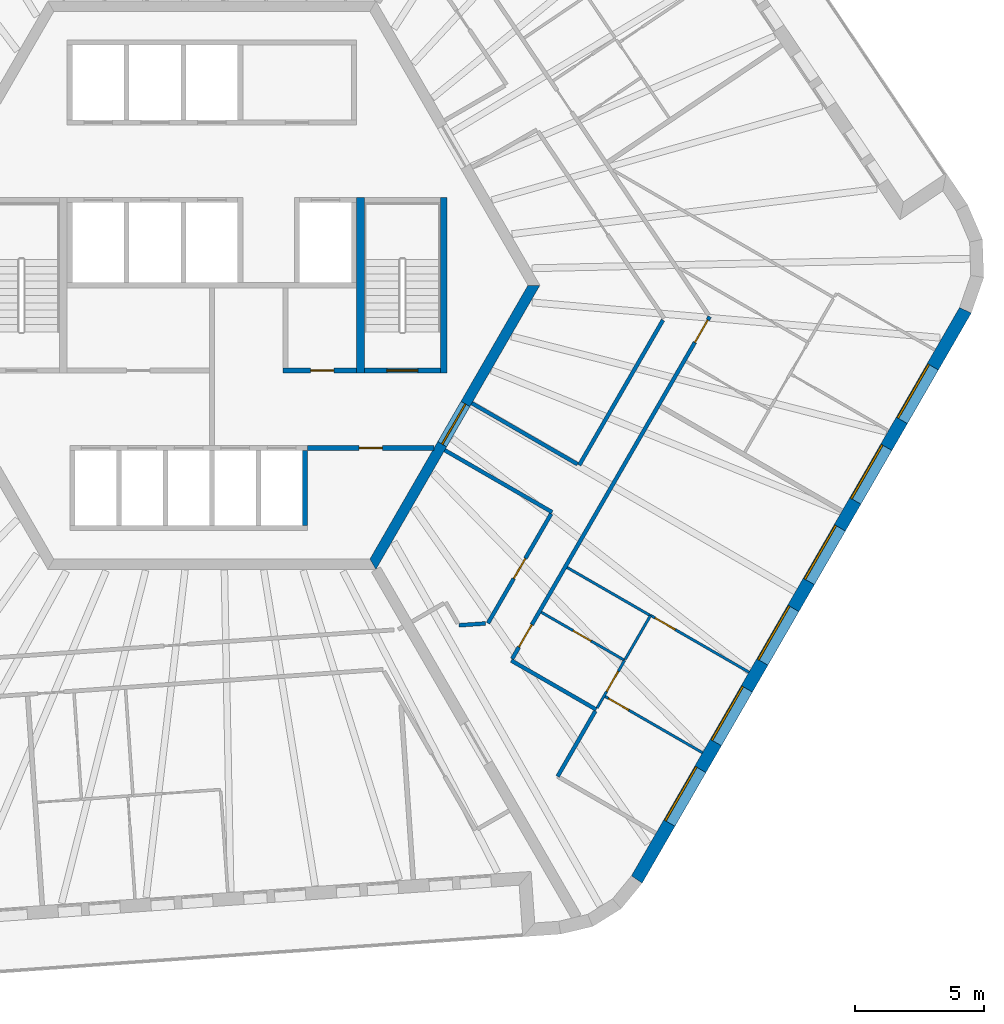
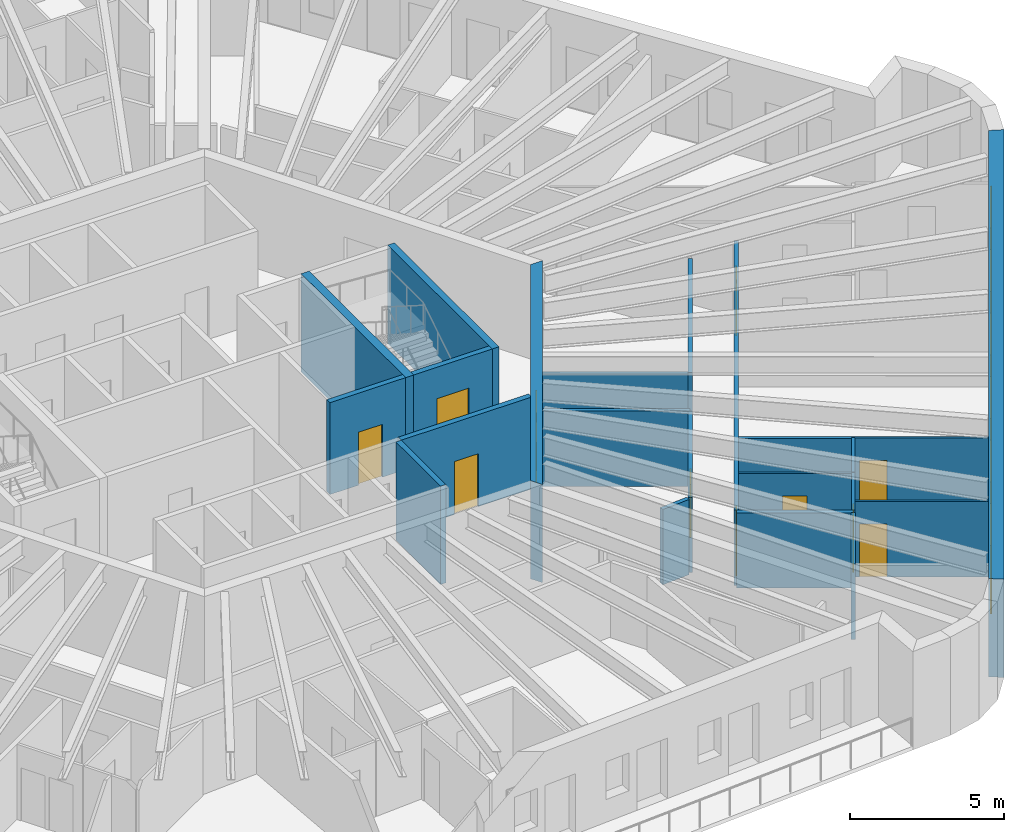
# One storey, part 6 of 12: 22 walls, 11 doors, 6 windows, 17 openings.
"""IFC4 building model written with IfcOpenShell, lengths in metres."""

from ifc_helpers import new_model, si_unit, direction, frame, frame_2d, origin, place, context, subcontext, project, spatial, polyline, rectangle, outline, extrude, material, layer, layer_set, type_object, element, fill, save


model = new_model("IFC4")

# Units and contexts
model_context = context("Model", 3, precision=1e-05, world=origin(), true_north=direction((0.0, 1.0)))
body_context = subcontext(model_context, "Body", "Model", "MODEL_VIEW")
ifc_project = project(units=[si_unit("LENGTHUNIT", "METRE"), si_unit("AREAUNIT", "SQUARE_METRE"), si_unit("VOLUMEUNIT", "CUBIC_METRE"), si_unit("PLANEANGLEUNIT", "RADIAN"), si_unit("MASSUNIT", "GRAM", prefix="KILO")], contexts=[model_context])

# Site, building, storey
site_placement = place(None, origin())
site = spatial("IfcSite", under=ifc_project, at=site_placement, CompositionType="ELEMENT")
building_placement = place(site_placement, origin())
building = spatial("IfcBuilding", under=site, at=building_placement, Name="Tarnside Tower", CompositionType="ELEMENT")
storey_placement = place(building_placement, frame((0.0, 0.0, 287.39990234375)))
storey = spatial("IfcBuildingStorey", under=building, at=storey_placement, Name="L69", CompositionType="ELEMENT", Elevation=287.39990234375)

# Wall
ifc_material_1 = material(Name="Gypsum board partition on steel studs", Category="steel")
ifc_layer_1 = layer(ifc_material_1, 0.10009765625)
ifc_layer_set_1 = layer_set([ifc_layer_1], Name="Bathroom wall 100")
wall_type_1 = type_object("IfcWallType", Name="Bathroom wall 100", PredefinedType="PARTITIONING", material=ifc_layer_set_1)
wall_1_placement = place(storey_placement, frame((13.754150390625, -10.92724609375, 0.0), z_axis=(0.0, 0.0, 1.0), x_axis=(0.866040420308, -0.499973989716, 0.0)))
element("IfcWall", 1, at=wall_1_placement, inside=storey, type_object=wall_type_1, Name="Bathroom wall 22146", PredefinedType="PARTITIONING", context=body_context, shape_type="SweptSolid", body=[
    extrude(rectangle(XDim=3.724853515625, YDim=0.10009765625, at=frame_2d((1.8623046875, 0.0))), origin(), (0.0, 0.0, 1.0), 2.98779296875),
])

# Wall, opening, door
wall_2_placement = place(storey_placement, frame((15.97998046875, -14.521728515625, 0.0), z_axis=(0.0, 0.0, 1.0), x_axis=(-0.866012039196, 0.500023147432, 0.0)))
wall_2 = element("IfcWall", 2, at=wall_2_placement, inside=storey, type_object=wall_type_1, Name="Bathroom wall 22150", PredefinedType="PARTITIONING", context=body_context, shape_type="SweptSolid", body=[
    extrude(rectangle(XDim=3.724853515625, YDim=0.10009765625, at=frame_2d((1.8623046875, 0.0))), origin(), (0.0, 0.0, 1.0), 2.98779296875),
])
opening_1_placement = place(wall_2_placement, frame((1.5, 0.0, 0.0)))
opening_1 = element("IfcOpeningElement", 3, at=opening_1_placement, cuts=wall_2, Name="Opening D-B1", PredefinedType="OPENING", context=body_context, shape_type="SweptSolid", body=[
    extrude(rectangle(XDim=0.800048828125, YDim=2.10009765625, at=frame_2d((0.39990234375, 1.050048828125))), frame((0.0, 0.06005859375, 0.0), z_axis=(0.0, -1.0, 0.0), x_axis=(1.0, 0.0, 0.0)), (0.0, 0.0, 1.0), 0.1201171875),
])
ifc_material_2 = material(Name="Timber door leaf", Category="wood")
door_type_1 = type_object("IfcDoorType", Name="Bathroom door 800", OperationType="NOTDEFINED", PredefinedType="DOOR", material=ifc_material_2)
door_1_placement = place(opening_1_placement, origin())
door_1 = element("IfcDoor", 4, at=door_1_placement, inside=storey, type_object=door_type_1, Name="Bathroom door 22056", OperationType="SINGLE_SWING_LEFT", OverallHeight=2.10009765625, OverallWidth=0.800048828125, PredefinedType="DOOR", context=body_context, shape_type="SweptSolid", body=[
    extrude(rectangle(XDim=0.800048828125, YDim=2.10009765625, at=frame_2d((0.39990234375, 1.050048828125))), frame((0.0, 0.02490234375, 0.0), z_axis=(0.0, -1.0, 0.0), x_axis=(1.0, 0.0, 0.0)), (0.0, 0.0, 1.0), 0.050048828125),
])
fill(opening_1, door_1)

# Wall
wall_3_placement = place(storey_placement, frame((16.004150390625, -14.480224609375, 0.0), z_axis=(0.0, 0.0, 1.0), x_axis=(0.499888292545, 0.866089888508, 0.0)))
element("IfcWall", 5, at=wall_3_placement, inside=storey, type_object=wall_type_1, Name="Bathroom wall 22153", PredefinedType="PARTITIONING", context=body_context, shape_type="SweptSolid", body=[
    extrude(rectangle(XDim=1.9541015625, YDim=0.10009765625, at=frame_2d((0.97705078125, 0.0))), origin(), (0.0, 0.0, 1.0), 2.98779296875),
])

# Wall, opening, door
ifc_material_3 = material(Name="Concrete C40/50", Category="concrete")
ifc_layer_2 = layer(ifc_material_3, 0.199951171875)
ifc_layer_set_2 = layer_set([ifc_layer_2], Name="Core room partition 200 C40/50")
wall_type_2 = type_object("IfcWallType", Name="Core room partition 200 C40/50", PredefinedType="PARTITIONING", material=ifc_layer_set_2)
wall_4_placement = place(storey_placement, frame((2.75, -3.300048828125, 0.0), z_axis=(0.0, 0.0, 1.0), x_axis=(1.0, 0.0, 0.0)))
wall_4 = element("IfcWall", 6, at=wall_4_placement, inside=storey, type_object=wall_type_2, Name="L69 core partition R3S1", PredefinedType="PARTITIONING", context=body_context, shape_type="SweptSolid", body=[
    extrude(rectangle(XDim=2.85009765625, YDim=0.199951171875, at=frame_2d((1.425048828125, 0.0))), origin(), (0.0, 0.0, 1.0), 3.650146484375),
])
opening_2_placement = place(wall_4_placement, frame((1.074951171875, 0.0, 0.0)))
opening_2 = element("IfcOpeningElement", 7, at=opening_2_placement, cuts=wall_4, Name="Opening CD-room", PredefinedType="OPENING", context=body_context, shape_type="SweptSolid", body=[
    extrude(rectangle(XDim=0.89990234375, YDim=2.10009765625, at=frame_2d((0.449951171875, 1.050048828125))), frame((0.0, 0.10986328125, 0.0), z_axis=(0.0, -1.0, 0.0), x_axis=(1.0, 0.0, 0.0)), (0.0, 0.0, 1.0), 0.219970703125),
])
ifc_material_4 = material(Name="Steel fire door", Category="steel")
door_type_2 = type_object("IfcDoorType", Name="Room door FD60 900x2100", OperationType="NOTDEFINED", PredefinedType="DOOR", material=ifc_material_4)
door_2_placement = place(opening_2_placement, origin())
door_2 = element("IfcDoor", 8, at=door_2_placement, inside=storey, type_object=door_type_2, Name="L69 core room door SR1", OperationType="SINGLE_SWING_LEFT", OverallHeight=2.10009765625, OverallWidth=0.89990234375, PredefinedType="DOOR", context=body_context, shape_type="SweptSolid", body=[
    extrude(rectangle(XDim=0.89990234375, YDim=2.10009765625, at=frame_2d((0.449951171875, 1.050048828125))), frame((0.0, 0.02490234375, 0.0), z_axis=(0.0, -1.0, 0.0), x_axis=(1.0, 0.0, 0.0)), (0.0, 0.0, 1.0), 0.050048828125),
])
fill(opening_2, door_2)

wall_5_placement = place(storey_placement, frame((3.699951171875, -6.300048828125, 0.0), z_axis=(0.0, 0.0, 1.0), x_axis=(1.0, 0.0, 0.0)))
wall_5 = element("IfcWall", 9, at=wall_5_placement, inside=storey, type_object=wall_type_2, Name="L69 core partition R4X", PredefinedType="PARTITIONING", context=body_context, shape_type="SweptSolid", body=[
    extrude(rectangle(XDim=4.902587890625, YDim=0.199951171875, at=frame_2d((2.451171875, 0.0))), origin(), (0.0, 0.0, 1.0), 3.650146484375),
])
opening_3_placement = place(wall_5_placement, frame((2.001220703125, 0.0, 0.0)))
opening_3 = element("IfcOpeningElement", 10, at=opening_3_placement, cuts=wall_5, Name="Opening CD-room", PredefinedType="OPENING", context=body_context, shape_type="SweptSolid", body=[
    extrude(rectangle(XDim=0.89990234375, YDim=2.10009765625, at=frame_2d((0.449951171875, 1.050048828125))), frame((0.0, 0.10986328125, 0.0), z_axis=(0.0, -1.0, 0.0), x_axis=(1.0, 0.0, 0.0)), (0.0, 0.0, 1.0), 0.219970703125),
])
door_3_placement = place(opening_3_placement, origin())
door_3 = element("IfcDoor", 11, at=door_3_placement, inside=storey, type_object=door_type_2, Name="L69 core room door RX", OperationType="SINGLE_SWING_LEFT", OverallHeight=2.10009765625, OverallWidth=0.89990234375, PredefinedType="DOOR", context=body_context, shape_type="SweptSolid", body=[
    extrude(rectangle(XDim=0.89990234375, YDim=2.10009765625, at=frame_2d((0.449951171875, 1.050048828125))), frame((0.0, 0.02490234375, 0.0), z_axis=(0.0, -1.0, 0.0), x_axis=(1.0, 0.0, 0.0)), (0.0, 0.0, 1.0), 0.050048828125),
])
fill(opening_3, door_3)

ifc_material_5 = material(Name="Concrete C60/75", Category="concrete")
ifc_layer_3 = layer(ifc_material_5, 0.39990234375)
ifc_layer_set_3 = layer_set([ifc_layer_3], Name="Core wall Z3 400 C60/75")
wall_type_3 = type_object("IfcWallType", Name="Core wall Z3 400 C60/75", PredefinedType="SHEAR", material=ifc_layer_set_3)
wall_6_placement = place(storey_placement, frame((6.2353515625, -10.800048828125, -0.14990234375), z_axis=(0.0, 0.0, 1.0), x_axis=(0.499996419489, 0.866027470984, 0.0)))
wall_6 = element("IfcWall", 12, at=wall_6_placement, inside=storey, type_object=wall_type_3, Name="L69 core wall face 5", PredefinedType="SHEAR", context=body_context, shape_type="SweptSolid", body=[
    extrude(outline(polyline([(-0.115478515625, -0.199951171875), (12.586181640625, -0.199951171875), (12.355224609375, 0.199951171875), (0.115478515625, 0.199951171875), (-0.115478515625, -0.199951171875)])), origin(), (0.0, 0.0, 1.0), 3.89990234375),
])
opening_4_placement = place(wall_6_placement, frame((5.3642578125, 0.0, 0.14990234375)))
opening_4 = element("IfcOpeningElement", 13, at=opening_4_placement, cuts=wall_6, Name="Opening CD-FFL", PredefinedType="OPENING", context=body_context, shape_type="SweptSolid", body=[
    extrude(rectangle(XDim=1.800048828125, YDim=2.39990234375, at=frame_2d((0.89990234375, 1.199951171875))), frame((0.0, 0.2099609375, 0.0), z_axis=(0.0, -1.0, 0.0), x_axis=(1.0, 0.0, 0.0)), (0.0, 0.0, 1.0), 0.419921875),
])
door_type_3 = type_object("IfcDoorType", Name="Firefighting lobby double door FD60S 1800x2400", OperationType="NOTDEFINED", PredefinedType="DOOR", material=ifc_material_4)
door_4_placement = place(opening_4_placement, origin())
door_4 = element("IfcDoor", 14, at=door_4_placement, inside=storey, type_object=door_type_3, Name="L69 core door P4", OperationType="DOUBLE_DOOR_SINGLE_SWING", OverallHeight=2.39990234375, OverallWidth=1.800048828125, PredefinedType="DOOR", context=body_context, shape_type="SweptSolid", body=[
    extrude(rectangle(XDim=1.800048828125, YDim=2.39990234375, at=frame_2d((0.89990234375, 1.199951171875))), frame((0.0, 0.02490234375, 0.0), z_axis=(0.0, -1.0, 0.0), x_axis=(1.0, 0.0, 0.0)), (0.0, 0.0, 1.0), 0.050048828125),
])
fill(opening_4, door_4)

# Wall, openings, doors
ifc_layer_4 = layer(ifc_material_1, 0.14990234375)
ifc_layer_set_4 = layer_set([ifc_layer_4], Name="Corridor wall 150 EI 60")
wall_type_4 = type_object("IfcWallType", Name="Corridor wall 150 EI 60", PredefinedType="PARTITIONING", material=ifc_layer_set_4)
wall_7_placement = place(storey_placement, frame((11.626708984375, -14.4619140625, 0.0), z_axis=(0.0, 0.0, 1.0), x_axis=(0.499994634027, 0.866028501808, 0.0)))
wall_7 = element("IfcWall", 15, at=wall_7_placement, inside=storey, type_object=wall_type_4, Name="Corridor wall 22055", PredefinedType="PARTITIONING", context=body_context, shape_type="SweptSolid", body=[
    extrude(rectangle(XDim=15.296142578125, YDim=0.14990234375, at=frame_2d((7.64794921875, 0.0))), origin(), (0.0, 0.0, 1.0), 2.98779296875),
])
opening_5_placement = place(wall_7_placement, frame((0.52490234375, 0.0, 0.0)))
opening_5 = element("IfcOpeningElement", 16, at=opening_5_placement, cuts=wall_7, Name="Opening D-E1", PredefinedType="OPENING", context=body_context, shape_type="SweptSolid", body=[
    extrude(rectangle(XDim=1.0, YDim=2.10009765625, at=frame_2d((0.5, 1.050048828125))), frame((0.0, 0.0849609375, 0.0), z_axis=(0.0, -1.0, 0.0), x_axis=(1.0, 0.0, 0.0)), (0.0, 0.0, 1.0), 0.169921875),
])
opening_6_placement = place(wall_7_placement, frame((14.146240234375, 0.0, 0.0)))
opening_6 = element("IfcOpeningElement", 17, at=opening_6_placement, cuts=wall_7, Name="Opening D-E1", PredefinedType="OPENING", context=body_context, shape_type="SweptSolid", body=[
    extrude(rectangle(XDim=1.0, YDim=2.10009765625, at=frame_2d((0.5, 1.050048828125))), frame((0.0, 0.0849609375, 0.0), z_axis=(0.0, -1.0, 0.0), x_axis=(1.0, 0.0, 0.0)), (0.0, 0.0, 1.0), 0.169921875),
])
door_type_4 = type_object("IfcDoorType", Name="Unit entrance door 1000 FD30S", OperationType="NOTDEFINED", PredefinedType="DOOR", material=ifc_material_2)
door_5_placement = place(opening_5_placement, origin())
door_5 = element("IfcDoor", 18, at=door_5_placement, inside=storey, type_object=door_type_4, Name="Unit door 22055", OperationType="SINGLE_SWING_RIGHT", OverallHeight=2.10009765625, OverallWidth=1.0, PredefinedType="DOOR", context=body_context, shape_type="SweptSolid", body=[
    extrude(rectangle(XDim=1.0, YDim=2.10009765625, at=frame_2d((0.5, 1.050048828125))), frame((0.0, 0.02490234375, 0.0), z_axis=(0.0, -1.0, 0.0), x_axis=(1.0, 0.0, 0.0)), (0.0, 0.0, 1.0), 0.050048828125),
])
fill(opening_5, door_5)
door_6_placement = place(opening_6_placement, origin())
door_6 = element("IfcDoor", 19, at=door_6_placement, inside=storey, type_object=door_type_4, Name="Unit door 22065", OperationType="SINGLE_SWING_LEFT", OverallHeight=2.10009765625, OverallWidth=1.0, PredefinedType="DOOR", context=body_context, shape_type="SweptSolid", body=[
    extrude(rectangle(XDim=1.0, YDim=2.10009765625, at=frame_2d((0.5, 1.050048828125))), frame((0.0, 0.02490234375, 0.0), z_axis=(0.0, -1.0, 0.0), x_axis=(1.0, 0.0, 0.0)), (0.0, 0.0, 1.0), 0.050048828125),
])
fill(opening_6, door_6)

# Walls
wall_8_placement = place(storey_placement, frame((14.880126953125, -16.427001953125, 0.0), z_axis=(0.0, 0.0, 1.0), x_axis=(-0.86601654697, 0.500015340139, 0.0)))
element("IfcWall", 20, at=wall_8_placement, inside=storey, type_object=wall_type_4, Name="Corridor wall 22056", PredefinedType="PARTITIONING", context=body_context, shape_type="SweptSolid", body=[
    extrude(rectangle(XDim=3.80029296875, YDim=0.14990234375, at=frame_2d((1.900146484375, 0.0))), origin(), (0.0, 0.0, 1.0), 2.98779296875),
])
wall_9_placement = place(storey_placement, frame((13.38623046875, -19.014404296875, 0.0), z_axis=(0.0, 0.0, 1.0), x_axis=(0.499983307531, 0.866035040971, 0.0)))
element("IfcWall", 21, at=wall_9_placement, inside=storey, type_object=wall_type_4, Name="Corridor wall 22059", PredefinedType="PARTITIONING", context=body_context, shape_type="SweptSolid", body=[
    extrude(rectangle(XDim=2.91650390625, YDim=0.14990234375, at=frame_2d((1.458251953125, 0.0))), origin(), (0.0, 0.0, 1.0), 2.98779296875),
])
wall_10_placement = place(storey_placement, frame((17.46533203125, -1.34912109375, 0.0), z_axis=(0.0, 0.0, 1.0), x_axis=(-0.500001610943, -0.866024473704, 0.0)))
element("IfcWall", 22, at=wall_10_placement, inside=storey, type_object=wall_type_4, Name="Corridor wall 22074", PredefinedType="PARTITIONING", context=body_context, shape_type="SweptSolid", body=[
    extrude(rectangle(XDim=6.4853515625, YDim=0.14990234375, at=frame_2d((3.24267578125, 0.0))), origin(), (0.0, 0.0, 1.0), 2.98779296875),
])
wall_11_placement = place(storey_placement, frame((14.15771484375, -6.92822265625, 0.0), z_axis=(0.0, 0.0, 1.0), x_axis=(-0.866024684746, 0.500001245408, 0.0)))
element("IfcWall", 23, at=wall_11_placement, inside=storey, type_object=wall_type_4, Name="Corridor wall 22075", PredefinedType="PARTITIONING", context=body_context, shape_type="SweptSolid", body=[
    extrude(rectangle(XDim=4.72509765625, YDim=0.14990234375, at=frame_2d((2.362548828125, 0.0))), origin(), (0.0, 0.0, 1.0), 2.98779296875),
])
wall_12_placement = place(storey_placement, frame((9.015625, -6.38427734375, 0.0), z_axis=(0.0, 0.0, 1.0), x_axis=(0.866015339567, -0.500017431331, 0.0)))
element("IfcWall", 24, at=wall_12_placement, inside=storey, type_object=wall_type_4, Name="Corridor wall 22076", PredefinedType="PARTITIONING", context=body_context, shape_type="SweptSolid", body=[
    extrude(rectangle(XDim=4.800048828125, YDim=0.14990234375, at=frame_2d((2.39990234375, 0.0))), origin(), (0.0, 0.0, 1.0), 2.98779296875),
])

# Wall, opening, door
wall_13_placement = place(storey_placement, frame((13.13525390625, -8.849365234375, 0.0), z_axis=(0.0, 0.0, 1.0), x_axis=(-0.500024829938, -0.866011067739, 0.0)))
wall_13 = element("IfcWall", 25, at=wall_13_placement, inside=storey, type_object=wall_type_4, Name="Corridor wall 22077", PredefinedType="PARTITIONING", context=body_context, shape_type="SweptSolid", body=[
    extrude(rectangle(XDim=4.892333984375, YDim=0.14990234375, at=frame_2d((2.4462890625, 0.0))), origin(), (0.0, 0.0, 1.0), 2.98779296875),
])
opening_7_placement = place(wall_13_placement, frame((1.996337890625, 0.0, 0.0)))
opening_7 = element("IfcOpeningElement", 26, at=opening_7_placement, cuts=wall_13, Name="Opening D-S1", PredefinedType="OPENING", context=body_context, shape_type="SweptSolid", body=[
    extrude(rectangle(XDim=0.89990234375, YDim=2.10009765625, at=frame_2d((0.449951171875, 1.050048828125))), frame((0.0, 0.0849609375, 0.0), z_axis=(0.0, -1.0, 0.0), x_axis=(1.0, 0.0, 0.0)), (0.0, 0.0, 1.0), 0.169921875),
])
door_type_5 = type_object("IfcDoorType", Name="Service room door 900 FD30S", OperationType="NOTDEFINED", PredefinedType="DOOR", material=ifc_material_2)
door_7_placement = place(opening_7_placement, origin())
door_7 = element("IfcDoor", 27, at=door_7_placement, inside=storey, type_object=door_type_5, Name="Service door 22091", OperationType="SINGLE_SWING_LEFT", OverallHeight=2.10009765625, OverallWidth=0.89990234375, PredefinedType="DOOR", context=body_context, shape_type="SweptSolid", body=[
    extrude(rectangle(XDim=0.89990234375, YDim=2.10009765625, at=frame_2d((0.449951171875, 1.050048828125))), frame((0.0, 0.02490234375, 0.0), z_axis=(0.0, -1.0, 0.0), x_axis=(1.0, 0.0, 0.0)), (0.0, 0.0, 1.0), 0.050048828125),
])
fill(opening_7, door_7)

# Walls
wall_14_placement = place(storey_placement, frame((10.5986328125, -13.092529296875, 0.0), z_axis=(0.0, 0.0, 1.0), x_axis=(-0.99755453913, -0.069892356245, 0.0)))
element("IfcWall", 28, at=wall_14_placement, inside=storey, type_object=wall_type_4, Name="Corridor wall 22078", PredefinedType="PARTITIONING", context=body_context, shape_type="SweptSolid", body=[
    extrude(rectangle(XDim=1.037353515625, YDim=0.14990234375, at=frame_2d((0.5185546875, 0.0))), origin(), (0.0, 0.0, 1.0), 2.98779296875),
])
ifc_layer_5 = layer(ifc_material_3, 0.199951171875)
ifc_layer_set_5 = layer_set([ifc_layer_5], Name="Lift shaft wall 200 C40/50")
wall_type_5 = type_object("IfcWallType", Name="Lift shaft wall 200 C40/50", PredefinedType="SHEAR", material=ifc_layer_set_5)
wall_15_placement = place(storey_placement, frame((3.60009765625, -9.300048828125, -0.25), z_axis=(0.0, 0.0, 1.0), x_axis=(0.0, 1.0, 0.0)))
element("IfcWall", 29, at=wall_15_placement, inside=storey, type_object=wall_type_5, Name="L69 lift shaft partition R46", PredefinedType="SHEAR", context=body_context, shape_type="SweptSolid", body=[
    extrude(rectangle(XDim=2.900146484375, YDim=0.199951171875, at=frame_2d((1.4501953125, 0.0))), origin(), (0.0, 0.0, 1.0), 3.900146484375),
])

# Wall, opening, door
wall_16_placement = place(storey_placement, frame((5.89990234375, -3.300048828125, -0.25), z_axis=(0.0, 0.0, 1.0), x_axis=(1.0, 0.0, 0.0)))
wall_16 = element("IfcWall", 30, at=wall_16_placement, inside=storey, type_object=wall_type_5, Name="L69 stair 1 enclosure cap wall s", PredefinedType="SHEAR", context=body_context, shape_type="SweptSolid", body=[
    extrude(rectangle(XDim=2.9501953125, YDim=0.199951171875, at=frame_2d((1.47509765625, 0.0))), origin(), (0.0, 0.0, 1.0), 3.900146484375),
])
opening_8_placement = place(wall_16_placement, frame((0.875, 0.0, 0.25)))
opening_8 = element("IfcOpeningElement", 31, at=opening_8_placement, cuts=wall_16, Name="Opening CD-STR", PredefinedType="OPENING", context=body_context, shape_type="SweptSolid", body=[
    extrude(rectangle(XDim=1.199951171875, YDim=2.39990234375, at=frame_2d((0.60009765625, 1.199951171875))), frame((0.0, 0.10986328125, 0.0), z_axis=(0.0, -1.0, 0.0), x_axis=(1.0, 0.0, 0.0)), (0.0, 0.0, 1.0), 0.219970703125),
])
door_type_6 = type_object("IfcDoorType", Name="Stair door FD60S 1200x2400", OperationType="NOTDEFINED", PredefinedType="DOOR", material=ifc_material_4)
door_8_placement = place(opening_8_placement, origin())
door_8 = element("IfcDoor", 32, at=door_8_placement, inside=storey, type_object=door_type_6, Name="L69 stair 1 door", OperationType="SINGLE_SWING_LEFT", OverallHeight=2.39990234375, OverallWidth=1.199951171875, PredefinedType="DOOR", context=body_context, shape_type="SweptSolid", body=[
    extrude(rectangle(XDim=1.199951171875, YDim=2.39990234375, at=frame_2d((0.60009765625, 1.199951171875))), frame((0.0, 0.02490234375, 0.0), z_axis=(0.0, -1.0, 0.0), x_axis=(1.0, 0.0, 0.0)), (0.0, 0.0, 1.0), 0.050048828125),
])
fill(opening_8, door_8)

ifc_layer_6 = layer(ifc_material_1, 0.10009765625)
ifc_layer_set_6 = layer_set([ifc_layer_6], Name="Partition 100")
wall_type_6 = type_object("IfcWallType", Name="Partition 100", PredefinedType="PARTITIONING", material=ifc_layer_set_6)
wall_17_placement = place(storey_placement, frame((16.985595703125, -12.7802734375, 0.0), z_axis=(0.0, 0.0, 1.0), x_axis=(0.866032203192, -0.499988222896, 0.0)))
wall_17 = element("IfcWall", 33, at=wall_17_placement, inside=storey, type_object=wall_type_6, Name="Partition wall 22147", PredefinedType="PARTITIONING", context=body_context, shape_type="SweptSolid", body=[
    extrude(rectangle(XDim=4.39990234375, YDim=0.10009765625, at=frame_2d((2.199951171875, 0.0))), origin(), (0.0, 0.0, 1.0), 2.98779296875),
])
opening_9_placement = place(wall_17_placement, frame((0.199951171875, 0.0, 0.0)))
opening_9 = element("IfcOpeningElement", 34, at=opening_9_placement, cuts=wall_17, Name="Opening D-I1", PredefinedType="OPENING", context=body_context, shape_type="SweptSolid", body=[
    extrude(rectangle(XDim=0.89990234375, YDim=2.10009765625, at=frame_2d((0.449951171875, 1.050048828125))), frame((0.0, 0.06005859375, 0.0), z_axis=(0.0, -1.0, 0.0), x_axis=(1.0, 0.0, 0.0)), (0.0, 0.0, 1.0), 0.1201171875),
])
door_type_7 = type_object("IfcDoorType", Name="Internal door 900", OperationType="NOTDEFINED", PredefinedType="DOOR", material=ifc_material_2)
door_9_placement = place(opening_9_placement, origin())
door_9 = element("IfcDoor", 35, at=door_9_placement, inside=storey, type_object=door_type_7, Name="Internal door 22064", OperationType="SINGLE_SWING_RIGHT", OverallHeight=2.10009765625, OverallWidth=0.89990234375, PredefinedType="DOOR", context=body_context, shape_type="SweptSolid", body=[
    extrude(rectangle(XDim=0.89990234375, YDim=2.10009765625, at=frame_2d((0.449951171875, 1.050048828125))), frame((0.0, 0.02490234375, 0.0), z_axis=(0.0, -1.0, 0.0), x_axis=(1.0, 0.0, 0.0)), (0.0, 0.0, 1.0), 0.050048828125),
])
fill(opening_9, door_9)

wall_18_placement = place(storey_placement, frame((14.91650390625, -16.36376953125, 0.0), z_axis=(0.0, 0.0, 1.0), x_axis=(0.499987164874, 0.866032814021, 0.0)))
wall_18 = element("IfcWall", 36, at=wall_18_placement, inside=storey, type_object=wall_type_6, Name="Partition wall 22151", PredefinedType="PARTITIONING", context=body_context, shape_type="SweptSolid", body=[
    extrude(rectangle(XDim=2.12890625, YDim=0.10009765625, at=frame_2d((1.064453125, 0.0))), origin(), (0.0, 0.0, 1.0), 2.98779296875),
])
opening_10_placement = place(wall_18_placement, frame((0.738037109375, 0.0, 0.0)))
opening_10 = element("IfcOpeningElement", 37, at=opening_10_placement, cuts=wall_18, Name="Opening D-I1", PredefinedType="OPENING", context=body_context, shape_type="SweptSolid", body=[
    extrude(rectangle(XDim=0.89990234375, YDim=2.10009765625, at=frame_2d((0.449951171875, 1.050048828125))), frame((0.0, 0.06005859375, 0.0), z_axis=(0.0, -1.0, 0.0), x_axis=(1.0, 0.0, 0.0)), (0.0, 0.0, 1.0), 0.1201171875),
])
door_10_placement = place(opening_10_placement, origin())
door_10 = element("IfcDoor", 38, at=door_10_placement, inside=storey, type_object=door_type_7, Name="Internal door 22059", OperationType="SINGLE_SWING_RIGHT", OverallHeight=2.10009765625, OverallWidth=0.89990234375, PredefinedType="DOOR", context=body_context, shape_type="SweptSolid", body=[
    extrude(rectangle(XDim=0.89990234375, YDim=2.10009765625, at=frame_2d((0.449951171875, 1.050048828125))), frame((0.0, 0.02490234375, 0.0), z_axis=(0.0, -1.0, 0.0), x_axis=(1.0, 0.0, 0.0)), (0.0, 0.0, 1.0), 0.050048828125),
])
fill(opening_10, door_10)

wall_19_placement = place(storey_placement, frame((18.99609375, -18.097900390625, 0.0), z_axis=(0.0, 0.0, 1.0), x_axis=(-0.866027639635, 0.499996127374, 0.0)))
wall_19 = element("IfcWall", 39, at=wall_19_placement, inside=storey, type_object=wall_type_6, Name="Partition wall 22154", PredefinedType="PARTITIONING", context=body_context, shape_type="SweptSolid", body=[
    extrude(rectangle(XDim=4.35009765625, YDim=0.10009765625, at=frame_2d((2.175048828125, 0.0))), origin(), (0.0, 0.0, 1.0), 2.98779296875),
])
opening_11_placement = place(wall_19_placement, frame((3.300048828125, 0.0, 0.0)))
opening_11 = element("IfcOpeningElement", 40, at=opening_11_placement, cuts=wall_19, Name="Opening D-I1", PredefinedType="OPENING", context=body_context, shape_type="SweptSolid", body=[
    extrude(rectangle(XDim=0.89990234375, YDim=2.10009765625, at=frame_2d((0.449951171875, 1.050048828125))), frame((0.0, 0.06005859375, 0.0), z_axis=(0.0, -1.0, 0.0), x_axis=(1.0, 0.0, 0.0)), (0.0, 0.0, 1.0), 0.1201171875),
])
door_11_placement = place(opening_11_placement, origin())
door_11 = element("IfcDoor", 41, at=door_11_placement, inside=storey, type_object=door_type_7, Name="Internal door 22062", OperationType="SINGLE_SWING_RIGHT", OverallHeight=2.10009765625, OverallWidth=0.89990234375, PredefinedType="DOOR", context=body_context, shape_type="SweptSolid", body=[
    extrude(rectangle(XDim=0.89990234375, YDim=2.10009765625, at=frame_2d((0.449951171875, 1.050048828125))), frame((0.0, 0.02490234375, 0.0), z_axis=(0.0, -1.0, 0.0), x_axis=(1.0, 0.0, 0.0)), (0.0, 0.0, 1.0), 0.050048828125),
])
fill(opening_11, door_11)

# Walls
ifc_layer_7 = layer(ifc_material_3, 0.25)
ifc_layer_set_7 = layer_set([ifc_layer_7], Name="Stair enclosure wall 250 C40/50")
wall_type_7 = type_object("IfcWallType", Name="Stair enclosure wall 250 C40/50", PredefinedType="SHEAR", material=ifc_layer_set_7)
wall_20_placement = place(storey_placement, frame((8.97509765625, -3.39990234375, -0.25), z_axis=(0.0, 0.0, 1.0), x_axis=(0.0, 1.0, 0.0)))
element("IfcWall", 42, at=wall_20_placement, inside=storey, type_object=wall_type_7, Name="L69 stair 1 enclosure wall outer", PredefinedType="SHEAR", context=body_context, shape_type="SweptSolid", body=[
    extrude(rectangle(XDim=6.7998046875, YDim=0.25, at=frame_2d((3.39990234375, 0.0))), origin(), (0.0, 0.0, 1.0), 3.900146484375),
])
ifc_layer_8 = layer(ifc_material_3, 0.300048828125)
ifc_layer_set_8 = layer_set([ifc_layer_8], Name="Stair enclosure wall 300 C40/50")
wall_type_8 = type_object("IfcWallType", Name="Stair enclosure wall 300 C40/50", PredefinedType="SHEAR", material=ifc_layer_set_8)
wall_21_placement = place(storey_placement, frame((5.75, -3.39990234375, -0.25), z_axis=(0.0, 0.0, 1.0), x_axis=(0.0, 1.0, 0.0)))
element("IfcWall", 43, at=wall_21_placement, inside=storey, type_object=wall_type_8, Name="L69 stair 1 enclosure wall inner", PredefinedType="SHEAR", context=body_context, shape_type="SweptSolid", body=[
    extrude(rectangle(XDim=6.7998046875, YDim=0.300048828125, at=frame_2d((3.39990234375, 0.0))), origin(), (0.0, 0.0, 1.0), 3.900146484375),
])

# Wall, openings, windows
ifc_material_6 = material(Name="Facing brick", Category="masonry")
ifc_layer_9 = layer(ifc_material_6, 0.10205078125)
ifc_material_7 = material(Name="Concrete C60/75 precast", Category="concrete")
ifc_layer_10 = layer(ifc_material_7, 0.298095703125)
ifc_material_8 = material(Name="Mineral wool insulation")
ifc_layer_11 = layer(ifc_material_8, 0.10009765625)
ifc_layer_set_9 = layer_set([ifc_layer_9, ifc_layer_10, ifc_layer_11], Name="Tube wall 500 brick faced")
wall_type_9 = type_object("IfcWallType", Name="Tube wall 500 brick faced", PredefinedType="SOLIDWALL", material=ifc_layer_set_9)
wall_22_placement = place(storey_placement, frame((16.451416015625, -23.00537109375, -0.14990234375), z_axis=(0.0, 0.0, 1.0), x_axis=(0.500003737743, 0.866023245787, 0.0)))
wall_22 = element("IfcWall", 44, at=wall_22_placement, inside=storey, type_object=wall_type_9, Name="Tube wall L69 F5 flush 24", PredefinedType="SOLIDWALL", context=body_context, shape_type="SweptSolid", body=[
    extrude(outline(polyline([(-0.0205078125, -0.25), (25.468017578125, -0.25), (25.421142578125, 0.25), (0.0205078125, 0.25), (-0.0205078125, -0.25)])), origin(), (0.0, 0.0, 1.0), 3.89990234375),
])
opening_12_placement = place(wall_22_placement, frame((2.5224609375, 0.0, 0.75)))
opening_12 = element("IfcOpeningElement", 45, at=opening_12_placement, cuts=wall_22, Name="Opening WR", PredefinedType="OPENING", context=body_context, shape_type="SweptSolid", body=[
    extrude(rectangle(XDim=2.39990234375, YDim=2.699951171875, at=frame_2d((1.199951171875, 1.35009765625))), frame((0.0, 0.260009765625, 0.0), z_axis=(0.0, -1.0, 0.0), x_axis=(1.0, 0.0, 0.0)), (0.0, 0.0, 1.0), 0.52001953125),
])
opening_13_placement = place(wall_22_placement, frame((6.122314453125, 0.0, 0.75)))
opening_13 = element("IfcOpeningElement", 46, at=opening_13_placement, cuts=wall_22, Name="Opening WR", PredefinedType="OPENING", context=body_context, shape_type="SweptSolid", body=[
    extrude(rectangle(XDim=2.39990234375, YDim=2.699951171875, at=frame_2d((1.199951171875, 1.35009765625))), frame((0.0, 0.260009765625, 0.0), z_axis=(0.0, -1.0, 0.0), x_axis=(1.0, 0.0, 0.0)), (0.0, 0.0, 1.0), 0.52001953125),
])
opening_14_placement = place(wall_22_placement, frame((9.722412109375, 0.0, 0.75)))
opening_14 = element("IfcOpeningElement", 47, at=opening_14_placement, cuts=wall_22, Name="Opening WR", PredefinedType="OPENING", context=body_context, shape_type="SweptSolid", body=[
    extrude(rectangle(XDim=2.39990234375, YDim=2.699951171875, at=frame_2d((1.199951171875, 1.35009765625))), frame((0.0, 0.260009765625, 0.0), z_axis=(0.0, -1.0, 0.0), x_axis=(1.0, 0.0, 0.0)), (0.0, 0.0, 1.0), 0.52001953125),
])
opening_15_placement = place(wall_22_placement, frame((13.322509765625, 0.0, 0.75)))
opening_15 = element("IfcOpeningElement", 48, at=opening_15_placement, cuts=wall_22, Name="Opening WR", PredefinedType="OPENING", context=body_context, shape_type="SweptSolid", body=[
    extrude(rectangle(XDim=2.39990234375, YDim=2.699951171875, at=frame_2d((1.199951171875, 1.35009765625))), frame((0.0, 0.260009765625, 0.0), z_axis=(0.0, -1.0, 0.0), x_axis=(1.0, 0.0, 0.0)), (0.0, 0.0, 1.0), 0.52001953125),
])
opening_16_placement = place(wall_22_placement, frame((16.92236328125, 0.0, 0.75)))
opening_16 = element("IfcOpeningElement", 49, at=opening_16_placement, cuts=wall_22, Name="Opening WR", PredefinedType="OPENING", context=body_context, shape_type="SweptSolid", body=[
    extrude(rectangle(XDim=2.39990234375, YDim=2.699951171875, at=frame_2d((1.199951171875, 1.35009765625))), frame((0.0, 0.260009765625, 0.0), z_axis=(0.0, -1.0, 0.0), x_axis=(1.0, 0.0, 0.0)), (0.0, 0.0, 1.0), 0.52001953125),
])
opening_17_placement = place(wall_22_placement, frame((20.5224609375, 0.0, 0.75)))
opening_17 = element("IfcOpeningElement", 50, at=opening_17_placement, cuts=wall_22, Name="Opening WR", PredefinedType="OPENING", context=body_context, shape_type="SweptSolid", body=[
    extrude(rectangle(XDim=2.39990234375, YDim=2.699951171875, at=frame_2d((1.199951171875, 1.35009765625))), frame((0.0, 0.260009765625, 0.0), z_axis=(0.0, -1.0, 0.0), x_axis=(1.0, 0.0, 0.0)), (0.0, 0.0, 1.0), 0.52001953125),
])
ifc_material_9 = material(Name="Aluminium-framed double glazing", Category="aluminium")
window_type = type_object("IfcWindowType", Name="Residence window 2400 x 2700", PartitioningType="DOUBLE_PANEL_VERTICAL", PredefinedType="WINDOW", material=ifc_material_9)
window_1_placement = place(opening_12_placement, frame((0.0, 0.179931640625, 0.0)))
window_1 = element("IfcWindow", 51, at=window_1_placement, inside=storey, type_object=window_type, Name="E.WN.L69.F5.00", OverallHeight=2.699951171875, OverallWidth=2.39990234375, PartitioningType="DOUBLE_PANEL_VERTICAL", PredefinedType="WINDOW", context=body_context, shape_type="SweptSolid", body=[
    extrude(rectangle(XDim=2.39990234375, YDim=2.699951171875, at=frame_2d((1.199951171875, 1.35009765625))), frame((0.0, 0.030029296875, 0.0), z_axis=(0.0, -1.0, 0.0), x_axis=(1.0, 0.0, 0.0)), (0.0, 0.0, 1.0), 0.06005859375),
])
fill(opening_12, window_1)
window_2_placement = place(opening_13_placement, frame((0.0, 0.179931640625, 0.0)))
window_2 = element("IfcWindow", 52, at=window_2_placement, inside=storey, type_object=window_type, Name="E.WN.L69.F5.01", OverallHeight=2.699951171875, OverallWidth=2.39990234375, PartitioningType="DOUBLE_PANEL_VERTICAL", PredefinedType="WINDOW", context=body_context, shape_type="SweptSolid", body=[
    extrude(rectangle(XDim=2.39990234375, YDim=2.699951171875, at=frame_2d((1.199951171875, 1.35009765625))), frame((0.0, 0.030029296875, 0.0), z_axis=(0.0, -1.0, 0.0), x_axis=(1.0, 0.0, 0.0)), (0.0, 0.0, 1.0), 0.06005859375),
])
fill(opening_13, window_2)
window_3_placement = place(opening_14_placement, frame((0.0, 0.179931640625, 0.0)))
window_3 = element("IfcWindow", 53, at=window_3_placement, inside=storey, type_object=window_type, Name="E.WN.L69.F5.02", OverallHeight=2.699951171875, OverallWidth=2.39990234375, PartitioningType="DOUBLE_PANEL_VERTICAL", PredefinedType="WINDOW", context=body_context, shape_type="SweptSolid", body=[
    extrude(rectangle(XDim=2.39990234375, YDim=2.699951171875, at=frame_2d((1.199951171875, 1.35009765625))), frame((0.0, 0.030029296875, 0.0), z_axis=(0.0, -1.0, 0.0), x_axis=(1.0, 0.0, 0.0)), (0.0, 0.0, 1.0), 0.06005859375),
])
fill(opening_14, window_3)
window_4_placement = place(opening_15_placement, frame((0.0, 0.179931640625, 0.0)))
window_4 = element("IfcWindow", 54, at=window_4_placement, inside=storey, type_object=window_type, Name="E.WN.L69.F5.03", OverallHeight=2.699951171875, OverallWidth=2.39990234375, PartitioningType="DOUBLE_PANEL_VERTICAL", PredefinedType="WINDOW", context=body_context, shape_type="SweptSolid", body=[
    extrude(rectangle(XDim=2.39990234375, YDim=2.699951171875, at=frame_2d((1.199951171875, 1.35009765625))), frame((0.0, 0.030029296875, 0.0), z_axis=(0.0, -1.0, 0.0), x_axis=(1.0, 0.0, 0.0)), (0.0, 0.0, 1.0), 0.06005859375),
])
fill(opening_15, window_4)
window_5_placement = place(opening_16_placement, frame((0.0, 0.179931640625, 0.0)))
window_5 = element("IfcWindow", 55, at=window_5_placement, inside=storey, type_object=window_type, Name="E.WN.L69.F5.04", OverallHeight=2.699951171875, OverallWidth=2.39990234375, PartitioningType="DOUBLE_PANEL_VERTICAL", PredefinedType="WINDOW", context=body_context, shape_type="SweptSolid", body=[
    extrude(rectangle(XDim=2.39990234375, YDim=2.699951171875, at=frame_2d((1.199951171875, 1.35009765625))), frame((0.0, 0.030029296875, 0.0), z_axis=(0.0, -1.0, 0.0), x_axis=(1.0, 0.0, 0.0)), (0.0, 0.0, 1.0), 0.06005859375),
])
fill(opening_16, window_5)
window_6_placement = place(opening_17_placement, frame((0.0, 0.179931640625, 0.0)))
window_6 = element("IfcWindow", 56, at=window_6_placement, inside=storey, type_object=window_type, Name="E.WN.L69.F5.05", OverallHeight=2.699951171875, OverallWidth=2.39990234375, PartitioningType="DOUBLE_PANEL_VERTICAL", PredefinedType="WINDOW", context=body_context, shape_type="SweptSolid", body=[
    extrude(rectangle(XDim=2.39990234375, YDim=2.699951171875, at=frame_2d((1.199951171875, 1.35009765625))), frame((0.0, 0.030029296875, 0.0), z_axis=(0.0, -1.0, 0.0), x_axis=(1.0, 0.0, 0.0)), (0.0, 0.0, 1.0), 0.06005859375),
])
fill(opening_17, window_6)

save(model, "model.ifc")
